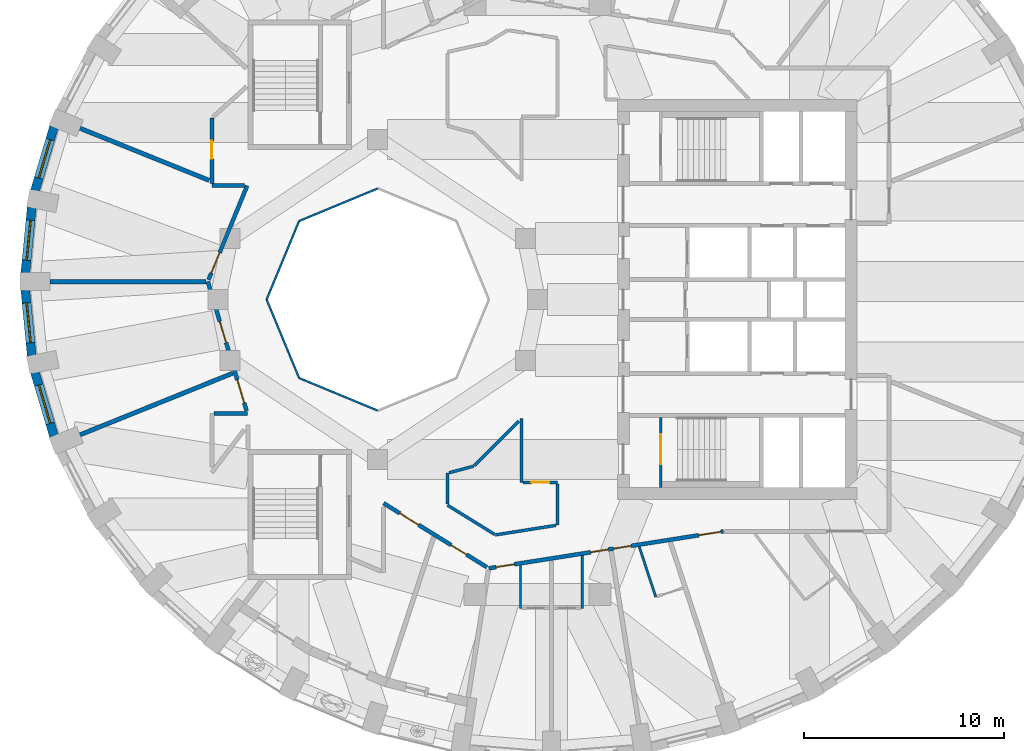
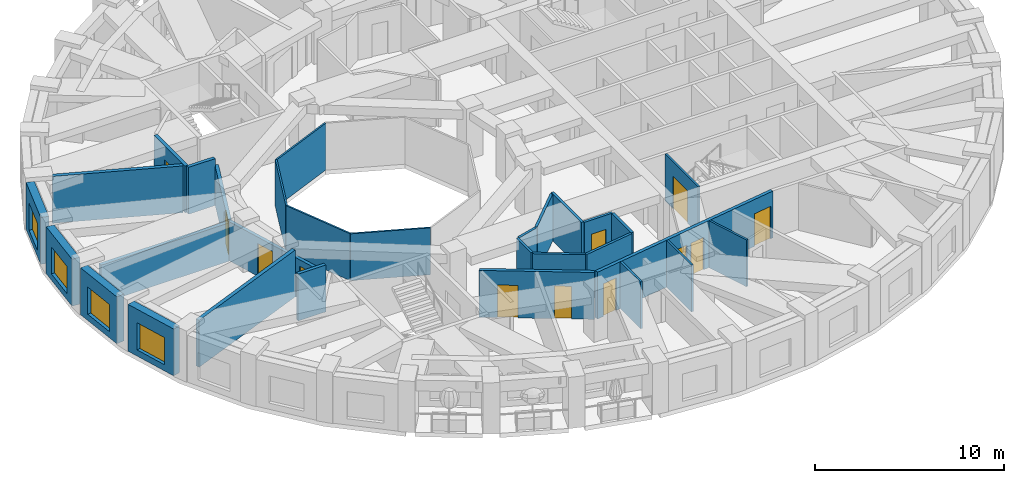
# One storey, part 4 of 12: 30 walls, 12 doors, 4 windows, 16 openings.
"""IFC4 building model written with IfcOpenShell, lengths in metres."""

import ifcopenshell
import ifcopenshell.guid

model = None  # the IFC model being written
_history = None  # IfcOwnerHistory: only IFC2X3 demands one
_inside = {}  # id of a spatial element -> (the spatial element, [elements in it])
_under = {}  # id of a project, library or spatial element -> (it, [spatial elements below it])
_declared = {}  # id of a project -> (the project, [libraries it declares])
_typed = {}  # id of a type object -> (the type object, [elements of that type])
_made_of = {}  # id of a material, layer set ... -> (it, [elements and type objects made of it])


def new_model(schema):
    """Start an empty IFC model of exactly this schema.

    Asked for "IFC4X3", IfcOpenShell would pick the latest addendum, in which some entities
    have other attributes; the version numbers below select the first issue.
    IFC2X3 requires an IfcOwnerHistory on every rooted entity: one is made here for all.
    """
    global model, _history
    if schema == "IFC4X3":
        model = ifcopenshell.file(schema_version=(4, 3, 0, 0))
    else:
        model = ifcopenshell.file(schema=schema)
    _inside.clear()
    _under.clear()
    _declared.clear()
    _typed.clear()
    _made_of.clear()
    _history = None
    if model.schema == "IFC2X3":
        org = make("IfcOrganization", Name="unknown")
        user = make(
            "IfcPersonAndOrganization",
            ThePerson=make("IfcPerson", FamilyName="unknown"),
            TheOrganization=org,
        )
        app = make(
            "IfcApplication",
            ApplicationDeveloper=org,
            Version="unknown",
            ApplicationFullName="unknown",
            ApplicationIdentifier="unknown",
        )
        _history = make(
            "IfcOwnerHistory",
            OwningUser=user,
            OwningApplication=app,
            ChangeAction="ADDED",
            CreationDate=0,
        )
    return model


def make(cls, **values):
    """One entity of the class cls with the attributes given. An attribute that is None is left unset."""
    return model.create_entity(
        cls, **{name: value for name, value in values.items() if value is not None}
    )


def rooted(cls, **values):
    """An entity with a GlobalId (a new one), such as an element, a storey or a relation."""
    return make(cls, GlobalId=ifcopenshell.guid.new(), OwnerHistory=_history, **values)


def si_unit(unit_type, name, prefix=None):
    """IfcSIUnit, for example si_unit("LENGTHUNIT", "METRE", prefix="MILLI")."""
    return make("IfcSIUnit", UnitType=unit_type, Prefix=prefix, Name=name)


def assignment(units):
    """IfcUnitAssignment: the units of a project."""
    return None if units is None else make("IfcUnitAssignment", Units=units)


def point(xyz):
    """IfcCartesianPoint."""
    return None if xyz is None else make("IfcCartesianPoint", Coordinates=xyz)


def direction(xyz):
    """IfcDirection."""
    return None if xyz is None else make("IfcDirection", DirectionRatios=xyz)


def frame(location, z_axis=None, x_axis=None):
    """IfcAxis2Placement3D, a coordinate frame: its origin and axes. An axis left out is left unset."""
    return make(
        "IfcAxis2Placement3D",
        Location=point(location),
        Axis=direction(z_axis),
        RefDirection=direction(x_axis),
    )


def frame_2d(location, x_axis=None):
    """IfcAxis2Placement2D, a coordinate frame in the plane: its origin and x axis."""
    return make(
        "IfcAxis2Placement2D", Location=point(location), RefDirection=direction(x_axis)
    )


def origin():
    """The frame at (0, 0, 0) with its axes left unset."""
    return frame((0.0, 0.0, 0.0))


def place(relative_to, where):
    """IfcLocalPlacement: puts the frame where relative to a parent placement (None: the world)."""
    return make(
        "IfcLocalPlacement", PlacementRelTo=relative_to, RelativePlacement=where
    )


def context(
    kind, dimensions, precision=None, world=None, true_north=None, identifier=None
):
    """IfcGeometricRepresentationContext, for example the 3D "Model" context."""
    return make(
        "IfcGeometricRepresentationContext",
        ContextIdentifier=identifier,
        ContextType=kind,
        CoordinateSpaceDimension=dimensions,
        Precision=precision,
        WorldCoordinateSystem=world,
        TrueNorth=true_north,
    )


def subcontext(parent, identifier, kind, view, scale=None):
    """IfcGeometricRepresentationSubContext, for example "Body" below "Model"."""
    return make(
        "IfcGeometricRepresentationSubContext",
        ContextIdentifier=identifier,
        ContextType=kind,
        ParentContext=parent,
        TargetScale=scale,
        TargetView=view,
    )


def project(units=None, contexts=None):
    """IfcProject with its units and contexts."""
    return rooted(
        "IfcProject",
        Name="project",
        RepresentationContexts=contexts,
        UnitsInContext=assignment(units),
    )


def spatial(cls, under=None, at=None, **own):
    """A site, building, storey or space (cls), placed at a placement, below another one or the project."""
    s = rooted(cls, ObjectPlacement=at, **own)
    if under is not None:
        _under.setdefault(under.id(), (under, []))[1].append(s)
    return s


def profile(cls, at=None, kind="AREA", **sizes):
    """A parametric profile (cls). Its sizes go by their IFC names, for example OverallWidth=200.0."""
    return make(cls, ProfileType=kind, Position=at, **sizes)


def rectangle(**sizes):
    """IfcRectangleProfileDef."""
    return profile("IfcRectangleProfileDef", **sizes)


def extrude(swept, where, along, depth):
    """IfcExtrudedAreaSolid: the profile swept, set in the frame where, extruded along a direction by depth."""
    return make(
        "IfcExtrudedAreaSolid",
        SweptArea=swept,
        Position=where,
        ExtrudedDirection=direction(along),
        Depth=depth,
    )


def shape(context_of_items, identifier, shape_type, items):
    """IfcShapeRepresentation: the items that make up one representation, for example the "Body"."""
    return make(
        "IfcShapeRepresentation",
        ContextOfItems=context_of_items,
        RepresentationIdentifier=identifier,
        RepresentationType=shape_type,
        Items=items,
    )


def material(Name=None, Category=None):
    """IfcMaterial."""
    return make("IfcMaterial", Name=Name, Category=Category)


def layer(
    of_material, thickness, ventilated=None, Name=None, Category=None, Priority=None
):
    """IfcMaterialLayer: one layer of a wall or slab, of a material (None: an air gap)."""
    return make(
        "IfcMaterialLayer",
        Material=of_material,
        LayerThickness=thickness,
        IsVentilated=ventilated,
        Name=Name,
        Category=Category,
        Priority=Priority,
    )


def layer_set(layers, Name=None):
    """IfcMaterialLayerSet."""
    return make("IfcMaterialLayerSet", MaterialLayers=layers, LayerSetName=Name)


def made_of(thing, what):
    """Note that an element or type object is made of a material, layer set ...; save() writes the relation."""
    if what is not None:
        _made_of.setdefault(what.id(), (what, []))[1].append(thing)
    return thing


def type_object(cls, material=None, **own):
    """A type object (cls), such as IfcWallType, which elements share."""
    return made_of(rooted(cls, **own), material)


def element(
    cls,
    number,
    at=None,
    inside=None,
    cuts=None,
    type_object=None,
    material=None,
    context=None,
    identifier="Body",
    shape_type=None,
    held_by="IfcProductDefinitionShape",
    body=None,
    shapes=None,
    **own,
):
    """One element of the class cls, such as IfcWall. Its Tag is "e" and its number.

    at: its placement. inside: the storey or other place that contains it. cuts: it is an
    opening in that element (IfcRelVoidsElement). A single representation is given by context,
    identifier, shape_type and body (its items); several are given by shapes. held_by: the class
    of the entity that holds the representations. save() writes the other relations.
    """
    e = rooted(cls, Tag="e%d" % number, ObjectPlacement=at, **own)
    if body is not None:
        shapes = [shape(context, identifier, shape_type, body)]
    if shapes is not None:
        e.Representation = make(held_by, Representations=shapes)
    if inside is not None:
        _inside.setdefault(inside.id(), (inside, []))[1].append(e)
    if cuts is not None:
        rooted(
            "IfcRelVoidsElement", RelatingBuildingElement=cuts, RelatedOpeningElement=e
        )
    if type_object is not None:
        _typed.setdefault(type_object.id(), (type_object, []))[1].append(e)
    return made_of(e, material)


def fill(opening, filler):
    """IfcRelFillsElement: the door or window that sits in an opening."""
    return rooted(
        "IfcRelFillsElement",
        RelatingOpeningElement=opening,
        RelatedBuildingElement=filler,
    )


def aggregate(whole, parts):
    """IfcRelAggregates: a whole, such as a stair, and the parts it consists of."""
    return rooted("IfcRelAggregates", RelatingObject=whole, RelatedObjects=parts)


def save(model, path):
    """Write the relations noted so far, then the file.

    IfcRelAggregates (storeys below a building ...), IfcRelContainedInSpatialStructure (elements
    in a storey), IfcRelDefinesByType, IfcRelAssociatesMaterial and IfcRelDeclares: one each for
    every whole, place, type object, material and project.
    """
    for whole, parts in _under.values():
        aggregate(whole, parts)
    for where, things in _inside.values():
        rooted(
            "IfcRelContainedInSpatialStructure",
            RelatedElements=things,
            RelatingStructure=where,
        )
    for kind, things in _typed.values():
        rooted("IfcRelDefinesByType", RelatedObjects=things, RelatingType=kind)
    for what, things in _made_of.values():
        rooted("IfcRelAssociatesMaterial", RelatedObjects=things, RelatingMaterial=what)
    for by, libraries in _declared.values():
        rooted("IfcRelDeclares", RelatingContext=by, RelatedDefinitions=libraries)
    model.write(path)


model = new_model("IFC4")

# Units and contexts
model_context = context("Model", 3, precision=1e-05, world=origin(), true_north=direction((0.0, 1.0)))
body_context = subcontext(model_context, "Body", "Model", "MODEL_VIEW")
ifc_project = project(units=[si_unit("LENGTHUNIT", "METRE"), si_unit("AREAUNIT", "SQUARE_METRE"), si_unit("VOLUMEUNIT", "CUBIC_METRE"), si_unit("PLANEANGLEUNIT", "RADIAN"), si_unit("MASSUNIT", "GRAM", prefix="KILO")], contexts=[model_context])

# Site, building, storey
site_placement = place(None, origin())
site = spatial("IfcSite", under=ifc_project, at=site_placement, CompositionType="ELEMENT")
building_placement = place(site_placement, origin())
building = spatial("IfcBuilding", under=site, at=building_placement, Name="Taillehof Tower", CompositionType="ELEMENT")
storey_placement = place(building_placement, frame((0.0, 0.0, 209.0)))
storey = spatial("IfcBuildingStorey", under=building, at=storey_placement, Name="L59", CompositionType="ELEMENT", Elevation=209.0)

# Walls
ifc_material_1 = material(Name="Fire-resisting glass in steel frame", Category="steel")
ifc_layer_1 = layer(ifc_material_1, 0.10009765625)
ifc_layer_set_1 = layer_set([ifc_layer_1], Name="Atrium fire-resisting screen EI 60 100")
wall_type_1 = type_object("IfcWallType", Name="Atrium fire-resisting screen EI 60 100", PredefinedType="PARTITIONING", material=ifc_layer_set_1)
for number, where, z_axis, x_axis, name in (
    (1, (-8.0, -5.55419921875, 0.0), (0.0, 0.0, 1.0), (-0.923860025149, 0.382730523909, 0.0), "Atrium screen"),
    (2, (-11.92724609375, -3.92724609375, 0.0), (0.0, 0.0, 1.0), (-0.382730523909, 0.923860025149, 0.0), "Atrium screen"),
    (3, (-13.55419921875, 0.0, 0.0), (0.0, 0.0, 1.0), (0.382730523909, 0.923860025149, 0.0), "Atrium screen"),
    (4, (-11.92724609375, 3.92724609375, 0.0), (0.0, 0.0, 1.0), (0.923860025149, 0.382730523909, 0.0), "Atrium screen"),
):
    element("IfcWall", number, at=place(storey_placement, frame(where, z_axis=z_axis, x_axis=x_axis)), inside=storey, type_object=wall_type_1, Name=name, PredefinedType="PARTITIONING", context=body_context, shape_type="SweptSolid", body=[
        extrude(rectangle(XDim=4.2509765625, YDim=0.10009765625, at=frame_2d((2.12548828125, 0.0))), origin(), (0.0, 0.0, 1.0), 3.02001953125),
    ])

# Wall, opening, window
ifc_material_2 = material(Name="Brick masonry", Category="masonry")
ifc_layer_2 = layer(ifc_material_2, 0.449951171875)
ifc_layer_set_2 = layer_set([ifc_layer_2], Name="Brick infill wall 450")
wall_type_2 = type_object("IfcWallType", Name="Brick infill wall 450", PredefinedType="SOLIDWALL", material=ifc_layer_set_2)
wall_1_placement = place(storey_placement, frame((-24.200439453125, 8.634033203125, 0.0), z_axis=(0.0, 0.0, 1.0), x_axis=(-0.285444972963, -0.958395099847, 0.0)))
wall_1 = element("IfcWall", 5, at=wall_1_placement, inside=storey, type_object=wall_type_2, Name="Brick wall L59 bay 17", PredefinedType="SOLIDWALL", context=body_context, shape_type="SweptSolid", body=[
    extrude(rectangle(XDim=3.3203125, YDim=0.449951171875, at=frame_2d((1.66015625, 0.0))), origin(), (0.0, 0.0, 1.0), 3.02001953125),
])
opening_1_placement = place(wall_1_placement, frame((0.66015625, 0.0, 0.39990234375)))
opening_1 = element("IfcOpeningElement", 6, at=opening_1_placement, cuts=wall_1, Name="Opening W2", PredefinedType="OPENING", context=body_context, shape_type="SweptSolid", body=[
    extrude(rectangle(XDim=2.0, YDim=1.75, at=frame_2d((1.0, 0.875))), frame((0.0, 0.23486328125, 0.0), z_axis=(0.0, -1.0, 0.0), x_axis=(1.0, 0.0, 0.0)), (0.0, 0.0, 1.0), 0.469970703125),
])
ifc_material_3 = material(Name="Aluminium window frame with clear double glazing", Category="aluminium")
window_type = type_object("IfcWindowType", Name="Deep-set window 2000x1750", PartitioningType="SINGLE_PANEL", PredefinedType="WINDOW", material=ifc_material_3)
window_1_placement = place(opening_1_placement, origin())
window_1 = element("IfcWindow", 7, at=window_1_placement, inside=storey, type_object=window_type, Name="W2", OverallHeight=1.75, OverallWidth=2.0, PartitioningType="SINGLE_PANEL", PredefinedType="WINDOW", context=body_context, shape_type="SweptSolid", body=[
    extrude(rectangle(XDim=2.0, YDim=1.75, at=frame_2d((1.0, 0.875))), frame((0.0, 0.034912109375, 0.0), z_axis=(0.0, -1.0, 0.0), x_axis=(1.0, 0.0, 0.0)), (0.0, 0.0, 1.0), 0.06005859375),
])
fill(opening_1, window_1)

wall_2_placement = place(storey_placement, frame((-25.313232421875, 4.607666015625, 0.0), z_axis=(0.0, 0.0, 1.0), x_axis=(-0.096824116835, -0.995301507283, 0.0)))
wall_2 = element("IfcWall", 8, at=wall_2_placement, inside=storey, type_object=wall_type_2, Name="Brick wall L59 bay 18", PredefinedType="SOLIDWALL", context=body_context, shape_type="SweptSolid", body=[
    extrude(rectangle(XDim=3.29296875, YDim=0.449951171875, at=frame_2d((1.646484375, 0.0))), origin(), (0.0, 0.0, 1.0), 3.02001953125),
])
opening_2_placement = place(wall_2_placement, frame((0.646484375, 0.0, 0.39990234375)))
opening_2 = element("IfcOpeningElement", 9, at=opening_2_placement, cuts=wall_2, Name="Opening W2", PredefinedType="OPENING", context=body_context, shape_type="SweptSolid", body=[
    extrude(rectangle(XDim=2.0, YDim=1.75, at=frame_2d((1.0, 0.875))), frame((0.0, 0.23486328125, 0.0), z_axis=(0.0, -1.0, 0.0), x_axis=(1.0, 0.0, 0.0)), (0.0, 0.0, 1.0), 0.469970703125),
])
window_2_placement = place(opening_2_placement, origin())
window_2 = element("IfcWindow", 10, at=window_2_placement, inside=storey, type_object=window_type, Name="W2", OverallHeight=1.75, OverallWidth=2.0, PartitioningType="SINGLE_PANEL", PredefinedType="WINDOW", context=body_context, shape_type="SweptSolid", body=[
    extrude(rectangle(XDim=2.0, YDim=1.75, at=frame_2d((1.0, 0.875))), frame((0.0, 0.034912109375, 0.0), z_axis=(0.0, -1.0, 0.0), x_axis=(1.0, 0.0, 0.0)), (0.0, 0.0, 1.0), 0.06005859375),
])
fill(opening_2, window_2)

wall_3_placement = place(storey_placement, frame((-25.632080078125, 0.469970703125, 0.0), z_axis=(0.0, 0.0, 1.0), x_axis=(0.096816972749, -0.995302202242, 0.0)))
wall_3 = element("IfcWall", 11, at=wall_3_placement, inside=storey, type_object=wall_type_2, Name="Brick wall L59 bay 19", PredefinedType="SOLIDWALL", context=body_context, shape_type="SweptSolid", body=[
    extrude(rectangle(XDim=3.293212890625, YDim=0.449951171875, at=frame_2d((1.646484375, 0.0))), origin(), (0.0, 0.0, 1.0), 3.02001953125),
])
opening_3_placement = place(wall_3_placement, frame((0.646484375, 0.0, 0.39990234375)))
opening_3 = element("IfcOpeningElement", 12, at=opening_3_placement, cuts=wall_3, Name="Opening W2", PredefinedType="OPENING", context=body_context, shape_type="SweptSolid", body=[
    extrude(rectangle(XDim=2.0, YDim=1.75, at=frame_2d((1.0, 0.875))), frame((0.0, 0.23486328125, 0.0), z_axis=(0.0, -1.0, 0.0), x_axis=(1.0, 0.0, 0.0)), (0.0, 0.0, 1.0), 0.469970703125),
])
window_3_placement = place(opening_3_placement, origin())
window_3 = element("IfcWindow", 13, at=window_3_placement, inside=storey, type_object=window_type, Name="W2", OverallHeight=1.75, OverallWidth=2.0, PartitioningType="SINGLE_PANEL", PredefinedType="WINDOW", context=body_context, shape_type="SweptSolid", body=[
    extrude(rectangle(XDim=2.0, YDim=1.75, at=frame_2d((1.0, 0.875))), frame((0.0, 0.034912109375, 0.0), z_axis=(0.0, -1.0, 0.0), x_axis=(1.0, 0.0, 0.0)), (0.0, 0.0, 1.0), 0.06005859375),
])
fill(opening_3, window_3)

wall_4_placement = place(storey_placement, frame((-25.148193359375, -3.65185546875, 0.0), z_axis=(0.0, 0.0, 1.0), x_axis=(0.285444972963, -0.958395099847, 0.0)))
wall_4 = element("IfcWall", 14, at=wall_4_placement, inside=storey, type_object=wall_type_2, Name="Brick wall L59 bay 20", PredefinedType="SOLIDWALL", context=body_context, shape_type="SweptSolid", body=[
    extrude(rectangle(XDim=3.3203125, YDim=0.449951171875, at=frame_2d((1.66015625, 0.0))), origin(), (0.0, 0.0, 1.0), 3.02001953125),
])
opening_4_placement = place(wall_4_placement, frame((0.66015625, 0.0, 0.39990234375)))
opening_4 = element("IfcOpeningElement", 15, at=opening_4_placement, cuts=wall_4, Name="Opening W2", PredefinedType="OPENING", context=body_context, shape_type="SweptSolid", body=[
    extrude(rectangle(XDim=2.0, YDim=1.75, at=frame_2d((1.0, 0.875))), frame((0.0, 0.23486328125, 0.0), z_axis=(0.0, -1.0, 0.0), x_axis=(1.0, 0.0, 0.0)), (0.0, 0.0, 1.0), 0.469970703125),
])
window_4_placement = place(opening_4_placement, origin())
window_4 = element("IfcWindow", 16, at=window_4_placement, inside=storey, type_object=window_type, Name="W2", OverallHeight=1.75, OverallWidth=2.0, PartitioningType="SINGLE_PANEL", PredefinedType="WINDOW", context=body_context, shape_type="SweptSolid", body=[
    extrude(rectangle(XDim=2.0, YDim=1.75, at=frame_2d((1.0, 0.875))), frame((0.0, 0.034912109375, 0.0), z_axis=(0.0, -1.0, 0.0), x_axis=(1.0, 0.0, 0.0)), (0.0, 0.0, 1.0), 0.06005859375),
])
fill(opening_4, window_4)

# Wall, openings, doors
ifc_material_4 = material(Name="Gypsum board on steel studs, two layers each side", Category="steel")
ifc_layer_3 = layer(ifc_material_4, 0.199951171875)
ifc_layer_set_3 = layer_set([ifc_layer_3], Name="Compartment wall corridor 200")
wall_type_3 = type_object("IfcWallType", Name="Compartment wall corridor 200", PredefinedType="PARTITIONING", material=ifc_layer_set_3)
wall_5_placement = place(storey_placement, frame((9.306396484375, -11.603271484375, 0.0), z_axis=(0.0, 0.0, 1.0), x_axis=(-0.987842562114, -0.155457622769, 0.0)))
wall_5 = element("IfcWall", 17, at=wall_5_placement, inside=storey, type_object=wall_type_3, Name="Compartment wall", PredefinedType="PARTITIONING", context=body_context, shape_type="SweptSolid", body=[
    extrude(rectangle(XDim=11.89306640625, YDim=0.199951171875, at=frame_2d((5.946533203125, 0.0))), origin(), (0.0, 0.0, 1.0), 3.02001953125),
])
opening_5_placement = place(wall_5_placement, frame((10.60693359375, 0.0, 0.0)))
opening_5 = element("IfcOpeningElement", 18, at=opening_5_placement, cuts=wall_5, Name="Opening D5954", PredefinedType="OPENING", context=body_context, shape_type="SweptSolid", body=[
    extrude(rectangle(XDim=0.89990234375, YDim=2.10009765625, at=frame_2d((0.449951171875, 1.050048828125))), frame((0.0, 0.10986328125, 0.0), z_axis=(0.0, -1.0, 0.0), x_axis=(1.0, 0.0, 0.0)), (0.0, 0.0, 1.0), 0.219970703125),
])
opening_6_placement = place(wall_5_placement, frame((5.829345703125, 0.0, 0.0)))
opening_6 = element("IfcOpeningElement", 19, at=opening_6_placement, cuts=wall_5, Name="Opening D5956", PredefinedType="OPENING", context=body_context, shape_type="SweptSolid", body=[
    extrude(rectangle(XDim=0.89990234375, YDim=2.10009765625, at=frame_2d((0.449951171875, 1.050048828125))), frame((0.0, 0.10986328125, 0.0), z_axis=(0.0, -1.0, 0.0), x_axis=(1.0, 0.0, 0.0)), (0.0, 0.0, 1.0), 0.219970703125),
])
opening_7_placement = place(wall_5_placement, frame((4.66943359375, 0.0, 0.0)))
opening_7 = element("IfcOpeningElement", 20, at=opening_7_placement, cuts=wall_5, Name="Opening D5958", PredefinedType="OPENING", context=body_context, shape_type="SweptSolid", body=[
    extrude(rectangle(XDim=0.89990234375, YDim=2.10009765625, at=frame_2d((0.449951171875, 1.050048828125))), frame((0.0, 0.10986328125, 0.0), z_axis=(0.0, -1.0, 0.0), x_axis=(1.0, 0.0, 0.0)), (0.0, 0.0, 1.0), 0.219970703125),
])
opening_8_placement = place(wall_5_placement, frame((0.139892578125, 0.0, 0.0)))
opening_8 = element("IfcOpeningElement", 21, at=opening_8_placement, cuts=wall_5, Name="Opening D5960", PredefinedType="OPENING", context=body_context, shape_type="SweptSolid", body=[
    extrude(rectangle(XDim=1.10009765625, YDim=2.10009765625, at=frame_2d((0.550048828125, 1.050048828125))), frame((0.0, 0.10986328125, 0.0), z_axis=(0.0, -1.0, 0.0), x_axis=(1.0, 0.0, 0.0)), (0.0, 0.0, 1.0), 0.219970703125),
])
ifc_material_5 = material(Name="Timber door leaf in steel frame", Category="steel")
door_type_1 = type_object("IfcDoorType", Name="Guest room door EI 30 900 x 2100", OperationType="SINGLE_SWING_LEFT", PredefinedType="DOOR", material=ifc_material_5)
door_1_placement = place(opening_5_placement, origin())
door_1 = element("IfcDoor", 22, at=door_1_placement, inside=storey, type_object=door_type_1, Name="D5954", OperationType="SINGLE_SWING_LEFT", OverallHeight=2.10009765625, OverallWidth=0.89990234375, PredefinedType="DOOR", context=body_context, shape_type="SweptSolid", body=[
    extrude(rectangle(XDim=0.89990234375, YDim=2.10009765625, at=frame_2d((0.449951171875, 1.050048828125))), frame((0.0, 0.02490234375, 0.0), z_axis=(0.0, -1.0, 0.0), x_axis=(1.0, 0.0, 0.0)), (0.0, 0.0, 1.0), 0.050048828125),
])
fill(opening_5, door_1)
door_2_placement = place(opening_6_placement, origin())
door_2 = element("IfcDoor", 23, at=door_2_placement, inside=storey, type_object=door_type_1, Name="D5956", OperationType="SINGLE_SWING_LEFT", OverallHeight=2.10009765625, OverallWidth=0.89990234375, PredefinedType="DOOR", context=body_context, shape_type="SweptSolid", body=[
    extrude(rectangle(XDim=0.89990234375, YDim=2.10009765625, at=frame_2d((0.449951171875, 1.050048828125))), frame((0.0, 0.02490234375, 0.0), z_axis=(0.0, -1.0, 0.0), x_axis=(1.0, 0.0, 0.0)), (0.0, 0.0, 1.0), 0.050048828125),
])
fill(opening_6, door_2)
door_3_placement = place(opening_7_placement, origin())
door_3 = element("IfcDoor", 24, at=door_3_placement, inside=storey, type_object=door_type_1, Name="D5958", OperationType="SINGLE_SWING_RIGHT", OverallHeight=2.10009765625, OverallWidth=0.89990234375, PredefinedType="DOOR", context=body_context, shape_type="SweptSolid", body=[
    extrude(rectangle(XDim=0.89990234375, YDim=2.10009765625, at=frame_2d((0.449951171875, 1.050048828125))), frame((0.0, 0.02490234375, 0.0), z_axis=(0.0, -1.0, 0.0), x_axis=(1.0, 0.0, 0.0)), (0.0, 0.0, 1.0), 0.050048828125),
])
fill(opening_7, door_3)
ifc_material_6 = material(Name="Timber door leaf in steel frame", Category="steel")
door_type_2 = type_object("IfcDoorType", Name="Suite entrance door EI 30 1100 x 2100", OperationType="SINGLE_SWING_LEFT", PredefinedType="DOOR", material=ifc_material_6)
door_4_placement = place(opening_8_placement, origin())
door_4 = element("IfcDoor", 25, at=door_4_placement, inside=storey, type_object=door_type_2, Name="D5960", OperationType="SINGLE_SWING_LEFT", OverallHeight=2.10009765625, OverallWidth=1.10009765625, PredefinedType="DOOR", context=body_context, shape_type="SweptSolid", body=[
    extrude(rectangle(XDim=1.10009765625, YDim=2.10009765625, at=frame_2d((0.550048828125, 1.050048828125))), frame((0.0, 0.02490234375, 0.0), z_axis=(0.0, -1.0, 0.0), x_axis=(1.0, 0.0, 0.0)), (0.0, 0.0, 1.0), 0.050048828125),
])
fill(opening_8, door_4)

wall_6_placement = place(storey_placement, frame((-2.527587890625, -13.399658203125, 0.0), z_axis=(0.0, 0.0, 1.0), x_axis=(-0.850088088191, 0.526640524757, 0.0)))
wall_6 = element("IfcWall", 26, at=wall_6_placement, inside=storey, type_object=wall_type_3, Name="Compartment wall", PredefinedType="PARTITIONING", context=body_context, shape_type="SweptSolid", body=[
    extrude(rectangle(XDim=6.08447265625, YDim=0.199951171875, at=frame_2d((3.042236328125, 0.0))), origin(), (0.0, 0.0, 1.0), 3.02001953125),
])
opening_9_placement = place(wall_6_placement, frame((4.031494140625, 0.0, 0.0)))
opening_9 = element("IfcOpeningElement", 27, at=opening_9_placement, cuts=wall_6, Name="Opening D5952", PredefinedType="OPENING", context=body_context, shape_type="SweptSolid", body=[
    extrude(rectangle(XDim=1.10009765625, YDim=2.10009765625, at=frame_2d((0.550048828125, 1.050048828125))), frame((0.0, 0.10986328125, 0.0), z_axis=(0.0, -1.0, 0.0), x_axis=(1.0, 0.0, 0.0)), (0.0, 0.0, 1.0), 0.219970703125),
])
opening_10_placement = place(wall_6_placement, frame((1.206298828125, 0.0, 0.0)))
opening_10 = element("IfcOpeningElement", 28, at=opening_10_placement, cuts=wall_6, Name="Opening D5953", PredefinedType="OPENING", context=body_context, shape_type="SweptSolid", body=[
    extrude(rectangle(XDim=0.89990234375, YDim=2.10009765625, at=frame_2d((0.449951171875, 1.050048828125))), frame((0.0, 0.10986328125, 0.0), z_axis=(0.0, -1.0, 0.0), x_axis=(1.0, 0.0, 0.0)), (0.0, 0.0, 1.0), 0.219970703125),
])
ifc_material_7 = material(Name="Timber door leaf in steel frame", Category="steel")
door_type_3 = type_object("IfcDoorType", Name="Service room door EI 30 900 x 2100", OperationType="SINGLE_SWING_LEFT", PredefinedType="DOOR", material=ifc_material_7)
door_5_placement = place(opening_10_placement, origin())
door_5 = element("IfcDoor", 29, at=door_5_placement, inside=storey, type_object=door_type_3, Name="D5953", OperationType="SINGLE_SWING_RIGHT", OverallHeight=2.10009765625, OverallWidth=0.89990234375, PredefinedType="DOOR", context=body_context, shape_type="SweptSolid", body=[
    extrude(rectangle(XDim=0.89990234375, YDim=2.10009765625, at=frame_2d((0.449951171875, 1.050048828125))), frame((0.0, 0.02490234375, 0.0), z_axis=(0.0, -1.0, 0.0), x_axis=(1.0, 0.0, 0.0)), (0.0, 0.0, 1.0), 0.050048828125),
])
fill(opening_10, door_5)
door_6_placement = place(opening_9_placement, origin())
door_6 = element("IfcDoor", 30, at=door_6_placement, inside=storey, type_object=door_type_2, Name="D5952", OperationType="SINGLE_SWING_RIGHT", OverallHeight=2.10009765625, OverallWidth=1.10009765625, PredefinedType="DOOR", context=body_context, shape_type="SweptSolid", body=[
    extrude(rectangle(XDim=1.10009765625, YDim=2.10009765625, at=frame_2d((0.550048828125, 1.050048828125))), frame((0.0, 0.02490234375, 0.0), z_axis=(0.0, -1.0, 0.0), x_axis=(1.0, 0.0, 0.0)), (0.0, 0.0, 1.0), 0.050048828125),
])
fill(opening_9, door_6)

# Wall
wall_7_placement = place(storey_placement, frame((-16.199951171875, -5.699951171875, 0.0), z_axis=(0.0, 0.0, 1.0), x_axis=(1.0, 0.0, 0.0)))
element("IfcWall", 31, at=wall_7_placement, inside=storey, type_object=wall_type_3, Name="Compartment wall", PredefinedType="PARTITIONING", context=body_context, shape_type="SweptSolid", body=[
    extrude(rectangle(XDim=1.681396484375, YDim=0.199951171875, at=frame_2d((0.8408203125, 0.0))), origin(), (0.0, 0.0, 1.0), 3.02001953125),
])

# Wall, openings, doors
wall_8_placement = place(storey_placement, frame((-14.5595703125, -5.566650390625, 0.0), z_axis=(0.0, 0.0, 1.0), x_axis=(-0.287410918602, 0.95780737305, 0.0)))
wall_8 = element("IfcWall", 32, at=wall_8_placement, inside=storey, type_object=wall_type_3, Name="Compartment wall", PredefinedType="PARTITIONING", context=body_context, shape_type="SweptSolid", body=[
    extrude(rectangle(XDim=6.75146484375, YDim=0.199951171875, at=frame_2d((3.375732421875, 0.0))), origin(), (0.0, 0.0, 1.0), 2.52001953125),
])
opening_11_placement = place(wall_8_placement, frame((3.561279296875, 0.0, 0.0)))
opening_11 = element("IfcOpeningElement", 33, at=opening_11_placement, cuts=wall_8, Name="Opening D5950", PredefinedType="OPENING", context=body_context, shape_type="SweptSolid", body=[
    extrude(rectangle(XDim=1.10009765625, YDim=2.10009765625, at=frame_2d((0.550048828125, 1.050048828125))), frame((0.0, 0.10986328125, 0.0), z_axis=(0.0, -1.0, 0.0), x_axis=(1.0, 0.0, 0.0)), (0.0, 0.0, 1.0), 0.219970703125),
])
opening_12_placement = place(wall_8_placement, frame((0.409912109375, 0.0, 0.0)))
opening_12 = element("IfcOpeningElement", 34, at=opening_12_placement, cuts=wall_8, Name="Opening D5951", PredefinedType="OPENING", context=body_context, shape_type="SweptSolid", body=[
    extrude(rectangle(XDim=1.199951171875, YDim=2.10009765625, at=frame_2d((0.60009765625, 1.050048828125))), frame((0.0, 0.10986328125, 0.0), z_axis=(0.0, -1.0, 0.0), x_axis=(1.0, 0.0, 0.0)), (0.0, 0.0, 1.0), 0.219970703125),
])
door_7_placement = place(opening_11_placement, origin())
door_7 = element("IfcDoor", 35, at=door_7_placement, inside=storey, type_object=door_type_2, Name="D5950", OperationType="SINGLE_SWING_LEFT", OverallHeight=2.10009765625, OverallWidth=1.10009765625, PredefinedType="DOOR", context=body_context, shape_type="SweptSolid", body=[
    extrude(rectangle(XDim=1.10009765625, YDim=2.10009765625, at=frame_2d((0.550048828125, 1.050048828125))), frame((0.0, 0.02490234375, 0.0), z_axis=(0.0, -1.0, 0.0), x_axis=(1.0, 0.0, 0.0)), (0.0, 0.0, 1.0), 0.050048828125),
])
fill(opening_11, door_7)
ifc_material_8 = material(Name="Timber door leaf in steel frame", Category="steel")
door_type_4 = type_object("IfcDoorType", Name="Suite entrance door EI 30 1200 x 2100", OperationType="SINGLE_SWING_LEFT", PredefinedType="DOOR", material=ifc_material_8)
door_8_placement = place(opening_12_placement, origin())
door_8 = element("IfcDoor", 36, at=door_8_placement, inside=storey, type_object=door_type_4, Name="D5951", OperationType="SINGLE_SWING_RIGHT", OverallHeight=2.10009765625, OverallWidth=1.199951171875, PredefinedType="DOOR", context=body_context, shape_type="SweptSolid", body=[
    extrude(rectangle(XDim=1.199951171875, YDim=2.10009765625, at=frame_2d((0.60009765625, 1.050048828125))), frame((0.0, 0.02490234375, 0.0), z_axis=(0.0, -1.0, 0.0), x_axis=(1.0, 0.0, 0.0)), (0.0, 0.0, 1.0), 0.050048828125),
])
fill(opening_12, door_8)

# Wall, opening, door
wall_9_placement = place(storey_placement, frame((-16.462158203125, 0.99267578125, 0.0), z_axis=(0.0, 0.0, 1.0), x_axis=(0.37991958703, 0.925019517303, 0.0)))
wall_9 = element("IfcWall", 37, at=wall_9_placement, inside=storey, type_object=wall_type_3, Name="Compartment wall", PredefinedType="PARTITIONING", context=body_context, shape_type="SweptSolid", body=[
    extrude(rectangle(XDim=5.0888671875, YDim=0.199951171875, at=frame_2d((2.54443359375, 0.0))), origin(), (0.0, 0.0, 1.0), 2.52001953125),
])
opening_13_placement = place(wall_9_placement, frame((0.359619140625, 0.0, 0.0)))
opening_13 = element("IfcOpeningElement", 38, at=opening_13_placement, cuts=wall_9, Name="Opening D5949", PredefinedType="OPENING", context=body_context, shape_type="SweptSolid", body=[
    extrude(rectangle(XDim=1.10009765625, YDim=2.10009765625, at=frame_2d((0.550048828125, 1.050048828125))), frame((0.0, 0.10986328125, 0.0), z_axis=(0.0, -1.0, 0.0), x_axis=(1.0, 0.0, 0.0)), (0.0, 0.0, 1.0), 0.219970703125),
])
door_9_placement = place(opening_13_placement, origin())
door_9 = element("IfcDoor", 39, at=door_9_placement, inside=storey, type_object=door_type_2, Name="D5949", OperationType="SINGLE_SWING_LEFT", OverallHeight=2.10009765625, OverallWidth=1.10009765625, PredefinedType="DOOR", context=body_context, shape_type="SweptSolid", body=[
    extrude(rectangle(XDim=1.10009765625, YDim=2.10009765625, at=frame_2d((0.550048828125, 1.050048828125))), frame((0.0, 0.02490234375, 0.0), z_axis=(0.0, -1.0, 0.0), x_axis=(1.0, 0.0, 0.0)), (0.0, 0.0, 1.0), 0.050048828125),
])
fill(opening_13, door_9)

# Wall
wall_10_placement = place(storey_placement, frame((-14.6689453125, 5.699951171875, 0.0), z_axis=(0.0, 0.0, 1.0), x_axis=(-1.0, 0.0, 0.0)))
element("IfcWall", 40, at=wall_10_placement, inside=storey, type_object=wall_type_3, Name="Compartment wall", PredefinedType="PARTITIONING", context=body_context, shape_type="SweptSolid", body=[
    extrude(rectangle(XDim=1.631103515625, YDim=0.199951171875, at=frame_2d((0.8154296875, 0.0))), origin(), (0.0, 0.0, 1.0), 3.02001953125),
])

# Wall, opening, door
wall_11_placement = place(storey_placement, frame((-16.300048828125, 5.800048828125, 0.0), z_axis=(0.0, 0.0, 1.0), x_axis=(0.0, 1.0, 0.0)))
wall_11 = element("IfcWall", 41, at=wall_11_placement, inside=storey, type_object=wall_type_3, Name="Compartment wall", PredefinedType="PARTITIONING", context=body_context, shape_type="SweptSolid", body=[
    extrude(rectangle(XDim=3.28271484375, YDim=0.199951171875, at=frame_2d((1.641357421875, 0.0))), origin(), (0.0, 0.0, 1.0), 3.02001953125),
])
opening_14_placement = place(wall_11_placement, frame((1.2412109375, 0.0, 0.0)))
opening_14 = element("IfcOpeningElement", 42, at=opening_14_placement, cuts=wall_11, Name="Opening D5948", PredefinedType="OPENING", context=body_context, shape_type="SweptSolid", body=[
    extrude(rectangle(XDim=0.89990234375, YDim=2.10009765625, at=frame_2d((0.449951171875, 1.050048828125))), frame((0.0, 0.10986328125, 0.0), z_axis=(0.0, -1.0, 0.0), x_axis=(1.0, 0.0, 0.0)), (0.0, 0.0, 1.0), 0.219970703125),
])
door_10_placement = place(opening_14_placement, origin())
door_10 = element("IfcDoor", 43, at=door_10_placement, inside=storey, type_object=door_type_3, Name="D5948", OperationType="SINGLE_SWING_LEFT", OverallHeight=2.10009765625, OverallWidth=0.89990234375, PredefinedType="DOOR", context=body_context, shape_type="SweptSolid", body=[
    extrude(rectangle(XDim=0.89990234375, YDim=2.10009765625, at=frame_2d((0.449951171875, 1.050048828125))), frame((0.0, 0.02490234375, 0.0), z_axis=(0.0, -1.0, 0.0), x_axis=(1.0, 0.0, 0.0)), (0.0, 0.0, 1.0), 0.050048828125),
])
fill(opening_14, door_10)

# Walls
ifc_material_9 = material(Name="Gypsum board on double steel studs with mineral wool", Category="steel")
ifc_layer_4 = layer(ifc_material_9, 0.219970703125)
ifc_layer_set_4 = layer_set([ifc_layer_4], Name="Compartment wall guest room 220")
wall_type_4 = type_object("IfcWallType", Name="Compartment wall guest room 220", PredefinedType="PARTITIONING", material=ifc_layer_set_4)
wall_12_placement = place(storey_placement, frame((-22.8955078125, 8.5712890625, 0.0), z_axis=(0.0, 0.0, 1.0), x_axis=(0.927387137769, -0.374103056256, 0.0)))
element("IfcWall", 44, at=wall_12_placement, inside=storey, type_object=wall_type_4, Name="Compartment wall", PredefinedType="PARTITIONING", context=body_context, shape_type="SweptSolid", body=[
    extrude(rectangle(XDim=6.9638671875, YDim=0.219970703125, at=frame_2d((3.48193359375, 0.0))), origin(), (0.0, 0.0, 1.0), 3.02001953125),
])
wall_13_placement = place(storey_placement, frame((-24.39990234375, 0.89990234375, 0.0), z_axis=(0.0, 0.0, 1.0), x_axis=(1.0, 0.0, 0.0)))
element("IfcWall", 45, at=wall_13_placement, inside=storey, type_object=wall_type_4, Name="Compartment wall", PredefinedType="PARTITIONING", context=body_context, shape_type="SweptSolid", body=[
    extrude(rectangle(XDim=7.7998046875, YDim=0.219970703125, at=frame_2d((3.89990234375, 0.0))), origin(), (0.0, 0.0, 1.0), 2.469970703125),
])
wall_14_placement = place(storey_placement, frame((-22.8955078125, -6.771484375, 0.0), z_axis=(0.0, 0.0, 1.0), x_axis=(0.92738233242, 0.374114968313, 0.0)))
element("IfcWall", 46, at=wall_14_placement, inside=storey, type_object=wall_type_4, Name="Compartment wall", PredefinedType="PARTITIONING", context=body_context, shape_type="SweptSolid", body=[
    extrude(rectangle(XDim=8.24609375, YDim=0.219970703125, at=frame_2d((4.123046875, 0.0))), origin(), (0.0, 0.0, 1.0), 3.02001953125),
])
ifc_material_10 = material(Name="Gypsum board on steel studs, two layers each side", Category="steel")
ifc_layer_5 = layer(ifc_material_10, 0.14990234375)
ifc_layer_set_5 = layer_set([ifc_layer_5], Name="Compartment wall service room 150")
wall_type_5 = type_object("IfcWallType", Name="Compartment wall service room 150", PredefinedType="PARTITIONING", material=ifc_layer_set_5)
wall_15_placement = place(storey_placement, frame((-0.800048828125, -5.9521484375, 0.0), z_axis=(0.0, 0.0, 1.0), x_axis=(0.0, -1.0, 0.0)))
element("IfcWall", 47, at=wall_15_placement, inside=storey, type_object=wall_type_5, Name="Compartment wall", PredefinedType="PARTITIONING", context=body_context, shape_type="SweptSolid", body=[
    extrude(rectangle(XDim=3.19775390625, YDim=0.14990234375, at=frame_2d((1.598876953125, 0.0))), origin(), (0.0, 0.0, 1.0), 3.02001953125),
])

# Wall, opening, door
wall_16_placement = place(storey_placement, frame((-0.719970703125, -9.14990234375, 0.0), z_axis=(0.0, 0.0, 1.0), x_axis=(1.0, 0.0, 0.0)))
wall_16 = element("IfcWall", 48, at=wall_16_placement, inside=storey, type_object=wall_type_5, Name="Compartment wall", PredefinedType="PARTITIONING", context=body_context, shape_type="SweptSolid", body=[
    extrude(rectangle(XDim=1.719970703125, YDim=0.14990234375, at=frame_2d((0.85986328125, 0.0))), origin(), (0.0, 0.0, 1.0), 3.02001953125),
])
opening_15_placement = place(wall_16_placement, frame((0.409912109375, 0.0, 0.0)))
opening_15 = element("IfcOpeningElement", 49, at=opening_15_placement, cuts=wall_16, Name="Opening D5967", PredefinedType="OPENING", context=body_context, shape_type="SweptSolid", body=[
    extrude(rectangle(XDim=0.89990234375, YDim=2.10009765625, at=frame_2d((0.449951171875, 1.050048828125))), frame((0.0, 0.0849609375, 0.0), z_axis=(0.0, -1.0, 0.0), x_axis=(1.0, 0.0, 0.0)), (0.0, 0.0, 1.0), 0.169921875),
])
door_11_placement = place(opening_15_placement, origin())
door_11 = element("IfcDoor", 50, at=door_11_placement, inside=storey, type_object=door_type_3, Name="D5967", OperationType="SINGLE_SWING_LEFT", OverallHeight=2.10009765625, OverallWidth=0.89990234375, PredefinedType="DOOR", context=body_context, shape_type="SweptSolid", body=[
    extrude(rectangle(XDim=0.89990234375, YDim=2.10009765625, at=frame_2d((0.449951171875, 1.050048828125))), frame((0.0, 0.02490234375, 0.0), z_axis=(0.0, -1.0, 0.0), x_axis=(1.0, 0.0, 0.0)), (0.0, 0.0, 1.0), 0.050048828125),
])
fill(opening_15, door_11)

# Walls
wall_17_placement = place(storey_placement, frame((1.0, -9.22998046875, 0.0), z_axis=(0.0, 0.0, 1.0), x_axis=(0.0, -1.0, 0.0)))
element("IfcWall", 51, at=wall_17_placement, inside=storey, type_object=wall_type_5, Name="Compartment wall", PredefinedType="PARTITIONING", context=body_context, shape_type="SweptSolid", body=[
    extrude(rectangle(XDim=2.060791015625, YDim=0.14990234375, at=frame_2d((1.0302734375, 0.0))), origin(), (0.0, 0.0, 1.0), 3.02001953125),
])
wall_18_placement = place(storey_placement, frame((0.9208984375, -11.303466796875, 0.0), z_axis=(0.0, 0.0, 1.0), x_axis=(-0.987854584084, -0.15538121091, 0.0)))
element("IfcWall", 52, at=wall_18_placement, inside=storey, type_object=wall_type_5, Name="Compartment wall", PredefinedType="PARTITIONING", context=body_context, shape_type="SweptSolid", body=[
    extrude(rectangle(XDim=3.062255859375, YDim=0.14990234375, at=frame_2d((1.53125, 0.0))), origin(), (0.0, 0.0, 1.0), 3.02001953125),
])
wall_19_placement = place(storey_placement, frame((-2.138427734375, -11.75830078125, 0.0), z_axis=(0.0, 0.0, 1.0), x_axis=(-0.850109654363, 0.526605711666, 0.0)))
element("IfcWall", 53, at=wall_19_placement, inside=storey, type_object=wall_type_5, Name="Compartment wall", PredefinedType="PARTITIONING", context=body_context, shape_type="SweptSolid", body=[
    extrude(rectangle(XDim=2.778076171875, YDim=0.14990234375, at=frame_2d((1.38916015625, 0.0))), origin(), (0.0, 0.0, 1.0), 3.02001953125),
])
wall_20_placement = place(storey_placement, frame((-4.5, -10.2353515625, 0.0), z_axis=(0.0, 0.0, 1.0), x_axis=(0.0, 1.0, 0.0)))
element("IfcWall", 54, at=wall_20_placement, inside=storey, type_object=wall_type_5, Name="Compartment wall", PredefinedType="PARTITIONING", context=body_context, shape_type="SweptSolid", body=[
    extrude(rectangle(XDim=1.545166015625, YDim=0.14990234375, at=frame_2d((0.7724609375, 0.0))), origin(), (0.0, 0.0, 1.0), 3.02001953125),
])
wall_21_placement = place(storey_placement, frame((-4.4228515625, -8.669677734375, 0.0), z_axis=(0.0, 0.0, 1.0), x_axis=(0.965898680525, 0.258920333232, 0.0)))
element("IfcWall", 55, at=wall_21_placement, inside=storey, type_object=wall_type_5, Name="Compartment wall", PredefinedType="PARTITIONING", context=body_context, shape_type="SweptSolid", body=[
    extrude(rectangle(XDim=1.280517578125, YDim=0.14990234375, at=frame_2d((0.64013671875, 0.0))), origin(), (0.0, 0.0, 1.0), 3.02001953125),
])
wall_22_placement = place(storey_placement, frame((-3.15771484375, -8.309814453125, 0.0), z_axis=(0.0, 0.0, 1.0), x_axis=(0.707106781187, 0.707106781187, 0.0)))
element("IfcWall", 56, at=wall_22_placement, inside=storey, type_object=wall_type_5, Name="Compartment wall", PredefinedType="PARTITIONING", context=body_context, shape_type="SweptSolid", body=[
    extrude(rectangle(XDim=3.154052734375, YDim=0.14990234375, at=frame_2d((1.5771484375, 0.0))), origin(), (0.0, 0.0, 1.0), 3.02001953125),
])
ifc_material_11 = material(Name="Gypsum board on steel studs, moisture resistant", Category="steel")
ifc_layer_6 = layer(ifc_material_11, 0.1201171875)
ifc_layer_set_6 = layer_set([ifc_layer_6], Name="En-suite wall 120")
wall_type_6 = type_object("IfcWallType", Name="En-suite wall 120", PredefinedType="PARTITIONING", material=ifc_layer_set_6)
wall_23_placement = place(storey_placement, frame((-0.85009765625, -13.302734375, 0.0), z_axis=(0.0, 0.0, 1.0), x_axis=(0.0, -1.0, 0.0)))
element("IfcWall", 57, at=wall_23_placement, inside=storey, type_object=wall_type_6, Name="En-suite wall", PredefinedType="PARTITIONING", context=body_context, shape_type="SweptSolid", body=[
    extrude(rectangle(XDim=2.15478515625, YDim=0.1201171875, at=frame_2d((1.077392578125, 0.0))), origin(), (0.0, 0.0, 1.0), 3.02001953125),
])
wall_24_placement = place(storey_placement, frame((2.25, -12.81494140625, 0.0), z_axis=(0.0, 0.0, 1.0), x_axis=(0.0, -1.0, 0.0)))
element("IfcWall", 58, at=wall_24_placement, inside=storey, type_object=wall_type_6, Name="En-suite wall", PredefinedType="PARTITIONING", context=body_context, shape_type="SweptSolid", body=[
    extrude(rectangle(XDim=2.642578125, YDim=0.1201171875, at=frame_2d((1.3212890625, 0.0))), origin(), (0.0, 0.0, 1.0), 3.02001953125),
])
wall_25_placement = place(storey_placement, frame((5.09228515625, -12.36767578125, 0.0), z_axis=(0.0, 0.0, 1.0), x_axis=(0.311969203188, -0.95009221461, 0.0)))
element("IfcWall", 59, at=wall_25_placement, inside=storey, type_object=wall_type_6, Name="En-suite wall", PredefinedType="PARTITIONING", context=body_context, shape_type="SweptSolid", body=[
    extrude(rectangle(XDim=2.650634765625, YDim=0.1201171875, at=frame_2d((1.3251953125, 0.0))), origin(), (0.0, 0.0, 1.0), 3.02001953125),
])

# Wall, opening, door
ifc_material_12 = material(Name="Concrete C50/60", Category="concrete")
ifc_layer_7 = layer(ifc_material_12, 0.1201171875)
ifc_layer_set_7 = layer_set([ifc_layer_7], Name="Stair lobby wall C50/60 120")
wall_type_7 = type_object("IfcWallType", Name="Stair lobby wall C50/60 120", PredefinedType="SHEAR", material=ifc_layer_set_7)
wall_26_placement = place(storey_placement, frame((6.159912109375, -9.39990234375, 0.0), z_axis=(0.0, 0.0, 1.0), x_axis=(0.0, 1.0, 0.0)))
wall_26 = element("IfcWall", 60, at=wall_26_placement, inside=storey, type_object=wall_type_7, Name="Compartment wall SW", PredefinedType="SHEAR", context=body_context, shape_type="SweptSolid", body=[
    extrude(rectangle(XDim=3.5, YDim=0.1201171875, at=frame_2d((1.75, 0.0))), origin(), (0.0, 0.0, 1.0), 3.02001953125),
])
opening_16_placement = place(wall_26_placement, frame((1.14990234375, 0.0, 0.0)))
opening_16 = element("IfcOpeningElement", 61, at=opening_16_placement, cuts=wall_26, Name="Opening D5911", PredefinedType="OPENING", context=body_context, shape_type="SweptSolid", body=[
    extrude(rectangle(XDim=1.5, YDim=2.10009765625, at=frame_2d((0.75, 1.050048828125))), frame((0.0, 0.070068359375, 0.0), z_axis=(0.0, -1.0, 0.0), x_axis=(1.0, 0.0, 0.0)), (0.0, 0.0, 1.0), 0.14013671875),
])
ifc_material_13 = material(Name="Steel-faced fire door", Category="steel")
door_type_5 = type_object("IfcDoorType", Name="Stair door 1500x2100", OperationType="DOUBLE_DOOR_SINGLE_SWING", PredefinedType="DOOR", material=ifc_material_13)
door_12_placement = place(opening_16_placement, origin())
door_12 = element("IfcDoor", 62, at=door_12_placement, inside=storey, type_object=door_type_5, Name="Stair lobby door S2", OperationType="DOUBLE_DOOR_SINGLE_SWING", OverallHeight=2.10009765625, OverallWidth=1.5, PredefinedType="DOOR", context=body_context, shape_type="SweptSolid", body=[
    extrude(rectangle(XDim=1.5, YDim=2.10009765625, at=frame_2d((0.75, 1.050048828125))), frame((0.0, 0.02490234375, 0.0), z_axis=(0.0, -1.0, 0.0), x_axis=(1.0, 0.0, 0.0)), (0.0, 0.0, 1.0), 0.050048828125),
])
fill(opening_16, door_12)

save(model, "model.ifc")
